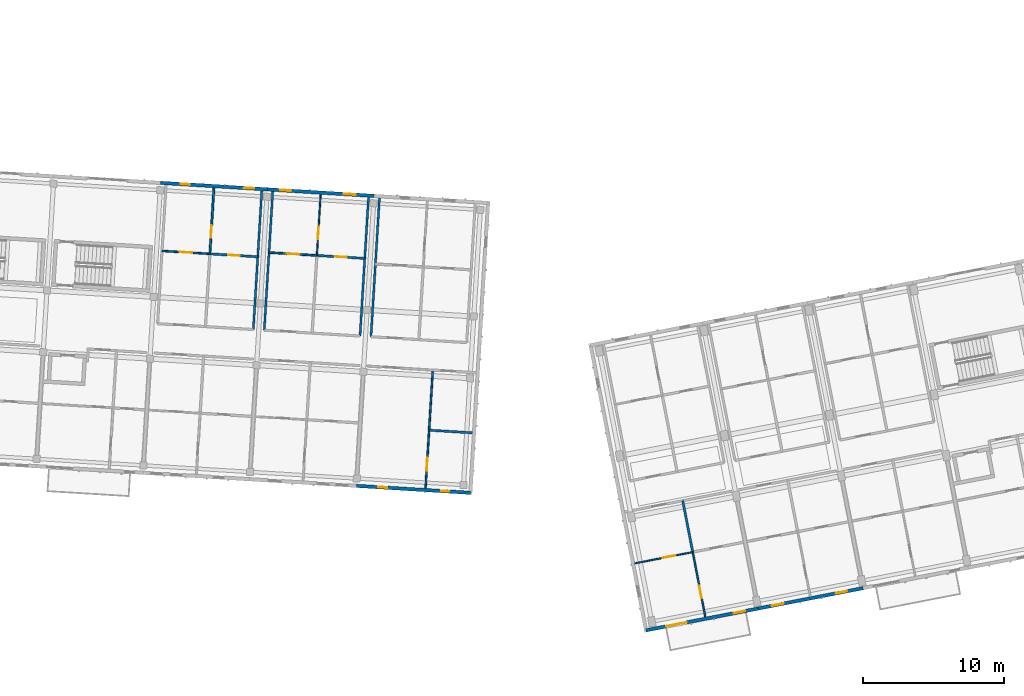
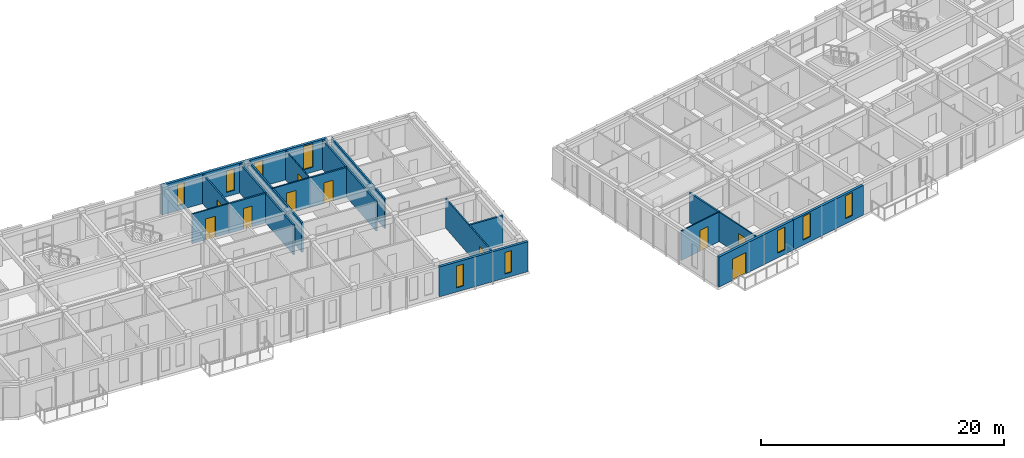
# One storey, part 27 of 66: 20 walls, 10 doors, 9 windows, 19 openings.
"""IFC4 building model written with IfcOpenShell, lengths in metres."""

from ifc_helpers import new_model, si_unit, direction, frame, frame_2d, origin, place, context, subcontext, project, spatial, rectangle, extrude, material, layer, layer_set, type_object, element, fill, save


model = new_model("IFC4")

# Units and contexts
model_context = context("Model", 3, precision=1e-05, world=origin(), true_north=direction((0.0, 1.0)))
body_context = subcontext(model_context, "Body", "Model", "MODEL_VIEW")
ifc_project = project(units=[si_unit("LENGTHUNIT", "METRE"), si_unit("AREAUNIT", "SQUARE_METRE"), si_unit("VOLUMEUNIT", "CUBIC_METRE"), si_unit("PLANEANGLEUNIT", "RADIAN"), si_unit("MASSUNIT", "GRAM", prefix="KILO")], contexts=[model_context])

# Site, building, storey
site_placement = place(None, origin())
site = spatial("IfcSite", under=ifc_project, at=site_placement, CompositionType="ELEMENT")
building_placement = place(site_placement, origin())
building = spatial("IfcBuilding", under=site, at=building_placement, Name="Kestramere Prow Commons", CompositionType="ELEMENT")
storey_placement = place(building_placement, frame((0.0, 0.0, 14.89990234375)))
storey = spatial("IfcBuildingStorey", under=building, at=storey_placement, Name="L04", CompositionType="ELEMENT", Elevation=14.89990234375)

# Wall, openings, windows
ifc_material_1 = material(Name="Fluoropolymer Standing-Seam Zinc-Aluminium Cladding", Category="aluminium")
ifc_layer_1 = layer(ifc_material_1, 0.239990234375)
ifc_layer_set_1 = layer_set([ifc_layer_1], Name="Fluoropolymer Standing-Seam Zinc-Aluminium Cladding")
wall_type_1 = type_object("IfcWallType", Name="EW-SEAM-240", PredefinedType="SOLIDWALL", material=ifc_layer_set_1)
wall_1_placement = place(storey_placement, frame((105.5068359375, 43.16015625, 0.0), z_axis=(0.0, 0.0, 1.0), x_axis=(-0.998134248939, 0.061057522844, 0.0)))
wall_1 = element("IfcWall", 1, at=wall_1_placement, inside=storey, type_object=wall_type_1, Name="Block C L04 South Standing-Seam Wall 6", PredefinedType="SOLIDWALL", context=body_context, shape_type="SweptSolid", body=[
    extrude(rectangle(XDim=8.125, YDim=0.239990234375, at=frame_2d((4.0625, 0.0))), origin(), (0.0, 0.0, 1.0), 3.0),
])
opening_1_placement = place(wall_1_placement, frame((1.50341796875, 0.0, 0.419921875)))
opening_1 = element("IfcOpeningElement", 2, at=opening_1_placement, cuts=wall_1, Name="Opening WN-01", PredefinedType="OPENING", context=body_context, shape_type="SweptSolid", body=[
    extrude(rectangle(XDim=0.580078125, YDim=2.159912109375, at=frame_2d((0.2900390625, 1.080078125))), frame((0.0, 0.135009765625, 0.0), z_axis=(0.0, -1.0, 0.0), x_axis=(1.0, 0.0, 0.0)), (0.0, 0.0, 1.0), 0.27001953125),
])
opening_2_placement = place(wall_1_placement, frame((5.923828125, 0.0, 0.419921875)))
opening_2 = element("IfcOpeningElement", 3, at=opening_2_placement, cuts=wall_1, Name="Opening WN-04", PredefinedType="OPENING", context=body_context, shape_type="SweptSolid", body=[
    extrude(rectangle(XDim=0.639892578125, YDim=2.179931640625, at=frame_2d((0.31982421875, 1.08984375))), frame((0.0, 0.135009765625, 0.0), z_axis=(0.0, -1.0, 0.0), x_axis=(1.0, 0.0, 0.0)), (0.0, 0.0, 1.0), 0.27001953125),
])
ifc_material_2 = material(Name="Low-E Laminated Double Glazing", Category="glass")
window_type_1 = type_object("IfcWindowType", Name="WN-NAR-580A", PartitioningType="SINGLE_PANEL", PredefinedType="WINDOW", material=ifc_material_2)
window_1_placement = place(opening_1_placement, origin())
window_1 = element("IfcWindow", 4, at=window_1_placement, inside=storey, type_object=window_type_1, Name="WN-C-L04-S-5-00", OverallHeight=2.159912109375, OverallWidth=0.580078125, PartitioningType="SINGLE_PANEL", PredefinedType="WINDOW", context=body_context, shape_type="SweptSolid", body=[
    extrude(rectangle(XDim=0.580078125, YDim=2.159912109375, at=frame_2d((0.2900390625, 1.080078125))), frame((0.0, 0.030029296875, 0.0), z_axis=(0.0, -1.0, 0.0), x_axis=(1.0, 0.0, 0.0)), (0.0, 0.0, 1.0), 0.06005859375),
])
fill(opening_1, window_1)
window_type_2 = type_object("IfcWindowType", Name="WN-NAR-640A", PartitioningType="SINGLE_PANEL", PredefinedType="WINDOW", material=ifc_material_2)
window_2_placement = place(opening_2_placement, origin())
window_2 = element("IfcWindow", 5, at=window_2_placement, inside=storey, type_object=window_type_2, Name="WN-C-L04-S-5-10", OverallHeight=2.179931640625, OverallWidth=0.639892578125, PartitioningType="SINGLE_PANEL", PredefinedType="WINDOW", context=body_context, shape_type="SweptSolid", body=[
    extrude(rectangle(XDim=0.639892578125, YDim=2.179931640625, at=frame_2d((0.31982421875, 1.08984375))), frame((0.0, 0.030029296875, 0.0), z_axis=(0.0, -1.0, 0.0), x_axis=(1.0, 0.0, 0.0)), (0.0, 0.0, 1.0), 0.06005859375),
])
fill(opening_2, window_2)

wall_2_placement = place(storey_placement, frame((83.486083984375, 65.195556640625, 0.0), z_axis=(0.0, 0.0, 1.0), x_axis=(0.998135669243, -0.061034300063, 0.0)))
wall_2 = element("IfcWall", 6, at=wall_2_placement, inside=storey, type_object=wall_type_1, Name="Block C L04 North Standing-Seam Wall 4", PredefinedType="SOLIDWALL", context=body_context, shape_type="SweptSolid", body=[
    extrude(rectangle(XDim=7.60009765625, YDim=0.239990234375, at=frame_2d((3.800048828125, 0.0))), origin(), (0.0, 0.0, 1.0), 3.0),
])
opening_3_placement = place(wall_2_placement, frame((1.424072265625, 0.0, 0.5)))
opening_3 = element("IfcOpeningElement", 7, at=opening_3_placement, cuts=wall_2, Name="Opening WN-04", PredefinedType="OPENING", context=body_context, shape_type="SweptSolid", body=[
    extrude(rectangle(XDim=0.639892578125, YDim=2.179931640625, at=frame_2d((0.31982421875, 1.08984375))), frame((0.0, 0.135009765625, 0.0), z_axis=(0.0, -1.0, 0.0), x_axis=(1.0, 0.0, 0.0)), (0.0, 0.0, 1.0), 0.27001953125),
])
opening_4_placement = place(wall_2_placement, frame((5.93505859375, 0.0, 0.43994140625)))
opening_4 = element("IfcOpeningElement", 8, at=opening_4_placement, cuts=wall_2, Name="Opening WN-08", PredefinedType="OPENING", context=body_context, shape_type="SweptSolid", body=[
    extrude(rectangle(XDim=0.719970703125, YDim=2.159912109375, at=frame_2d((0.35986328125, 1.080078125))), frame((0.0, 0.135009765625, 0.0), z_axis=(0.0, -1.0, 0.0), x_axis=(1.0, 0.0, 0.0)), (0.0, 0.0, 1.0), 0.27001953125),
])
window_3_placement = place(opening_3_placement, origin())
window_3 = element("IfcWindow", 9, at=window_3_placement, inside=storey, type_object=window_type_2, Name="WN-C-L04-N-3-0", OverallHeight=2.179931640625, OverallWidth=0.639892578125, PartitioningType="SINGLE_PANEL", PredefinedType="WINDOW", context=body_context, shape_type="SweptSolid", body=[
    extrude(rectangle(XDim=0.639892578125, YDim=2.179931640625, at=frame_2d((0.31982421875, 1.08984375))), frame((0.0, 0.030029296875, 0.0), z_axis=(0.0, -1.0, 0.0), x_axis=(1.0, 0.0, 0.0)), (0.0, 0.0, 1.0), 0.06005859375),
])
fill(opening_3, window_3)
window_type_3 = type_object("IfcWindowType", Name="WN-NAR-720A", PartitioningType="SINGLE_PANEL", PredefinedType="WINDOW", material=ifc_material_2)
window_4_placement = place(opening_4_placement, origin())
window_4 = element("IfcWindow", 10, at=window_4_placement, inside=storey, type_object=window_type_3, Name="WN-C-L04-N-3-1", OverallHeight=2.159912109375, OverallWidth=0.719970703125, PartitioningType="SINGLE_PANEL", PredefinedType="WINDOW", context=body_context, shape_type="SweptSolid", body=[
    extrude(rectangle(XDim=0.719970703125, YDim=2.159912109375, at=frame_2d((0.35986328125, 1.080078125))), frame((0.0, 0.030029296875, 0.0), z_axis=(0.0, -1.0, 0.0), x_axis=(1.0, 0.0, 0.0)), (0.0, 0.0, 1.0), 0.06005859375),
])
fill(opening_4, window_4)

wall_3_placement = place(storey_placement, frame((91.072021484375, 64.731689453125, 0.0), z_axis=(0.0, 0.0, 1.0), x_axis=(0.998133591969, -0.061068261669, 0.0)))
wall_3 = element("IfcWall", 11, at=wall_3_placement, inside=storey, type_object=wall_type_1, Name="Block C L04 North Standing-Seam Wall 5", PredefinedType="SOLIDWALL", context=body_context, shape_type="SweptSolid", body=[
    extrude(rectangle(XDim=7.599853515625, YDim=0.239990234375, at=frame_2d((3.7998046875, 0.0))), origin(), (0.0, 0.0, 1.0), 3.0),
])
opening_5_placement = place(wall_3_placement, frame((0.901611328125, 0.0, 0.43994140625)))
opening_5 = element("IfcOpeningElement", 12, at=opening_5_placement, cuts=wall_3, Name="Opening WN-11", PredefinedType="OPENING", context=body_context, shape_type="SweptSolid", body=[
    extrude(rectangle(XDim=0.780029296875, YDim=2.199951171875, at=frame_2d((0.39013671875, 1.10009765625))), frame((0.0, 0.135009765625, 0.0), z_axis=(0.0, -1.0, 0.0), x_axis=(1.0, 0.0, 0.0)), (0.0, 0.0, 1.0), 0.27001953125),
])
opening_6_placement = place(wall_3_placement, frame((5.426025390625, 0.0, 0.5)))
opening_6 = element("IfcOpeningElement", 13, at=opening_6_placement, cuts=wall_3, Name="Opening WN-15", PredefinedType="OPENING", context=body_context, shape_type="SweptSolid", body=[
    extrude(rectangle(XDim=0.860107421875, YDim=2.360107421875, at=frame_2d((0.43017578125, 1.18017578125))), frame((0.0, 0.135009765625, 0.0), z_axis=(0.0, -1.0, 0.0), x_axis=(1.0, 0.0, 0.0)), (0.0, 0.0, 1.0), 0.27001953125),
])
window_type_4 = type_object("IfcWindowType", Name="WN-NAR-780A", PartitioningType="SINGLE_PANEL", PredefinedType="WINDOW", material=ifc_material_2)
window_5_placement = place(opening_5_placement, origin())
window_5 = element("IfcWindow", 14, at=window_5_placement, inside=storey, type_object=window_type_4, Name="WN-C-L04-N-4-0", OverallHeight=2.199951171875, OverallWidth=0.780029296875, PartitioningType="SINGLE_PANEL", PredefinedType="WINDOW", context=body_context, shape_type="SweptSolid", body=[
    extrude(rectangle(XDim=0.780029296875, YDim=2.199951171875, at=frame_2d((0.39013671875, 1.10009765625))), frame((0.0, 0.030029296875, 0.0), z_axis=(0.0, -1.0, 0.0), x_axis=(1.0, 0.0, 0.0)), (0.0, 0.0, 1.0), 0.06005859375),
])
fill(opening_5, window_5)
window_type_5 = type_object("IfcWindowType", Name="WN-NAR-860A", PartitioningType="DOUBLE_PANEL_VERTICAL", PredefinedType="WINDOW", material=ifc_material_2)
window_6_placement = place(opening_6_placement, origin())
window_6 = element("IfcWindow", 15, at=window_6_placement, inside=storey, type_object=window_type_5, Name="WN-C-L04-N-4-1", OverallHeight=2.360107421875, OverallWidth=0.860107421875, PartitioningType="SINGLE_PANEL", PredefinedType="WINDOW", context=body_context, shape_type="SweptSolid", body=[
    extrude(rectangle(XDim=0.860107421875, YDim=2.360107421875, at=frame_2d((0.43017578125, 1.18017578125))), frame((0.0, 0.030029296875, 0.0), z_axis=(0.0, -1.0, 0.0), x_axis=(1.0, 0.0, 0.0)), (0.0, 0.0, 1.0), 0.06005859375),
])
fill(opening_6, window_6)

# Wall, openings, door, window
wall_4_placement = place(storey_placement, frame((125.96044921875, 34.934814453125, 0.0), z_axis=(0.0, 0.0, 1.0), x_axis=(-0.981627273155, -0.190808533872, 0.0)))
wall_4 = element("IfcWall", 16, at=wall_4_placement, inside=storey, type_object=wall_type_1, Name="Block D L04 South Standing-Seam Wall 1", PredefinedType="SOLIDWALL", context=body_context, shape_type="SweptSolid", body=[
    extrude(rectangle(XDim=8.124755859375, YDim=0.239990234375, at=frame_2d((4.0625, 0.0))), origin(), (0.0, 0.0, 1.0), 3.0),
])
opening_7_placement = place(wall_4_placement, frame((5.1689453125, 0.0, 0.0)))
opening_7 = element("IfcOpeningElement", 17, at=opening_7_placement, cuts=wall_4, Name="Opening GD-BAL-01", PredefinedType="OPENING", context=body_context, shape_type="SweptSolid", body=[
    extrude(rectangle(XDim=1.5, YDim=2.1201171875, at=frame_2d((0.75, 1.06005859375))), frame((0.0, 0.135009765625, 0.0), z_axis=(0.0, -1.0, 0.0), x_axis=(1.0, 0.0, 0.0)), (0.0, 0.0, 1.0), 0.27001953125),
])
opening_8_placement = place(wall_4_placement, frame((0.929931640625, 0.0, 0.4599609375)))
opening_8 = element("IfcOpeningElement", 18, at=opening_8_placement, cuts=wall_4, Name="Opening WN-14", PredefinedType="OPENING", context=body_context, shape_type="SweptSolid", body=[
    extrude(rectangle(XDim=0.840087890625, YDim=2.280029296875, at=frame_2d((0.419921875, 1.14013671875))), frame((0.0, 0.135009765625, 0.0), z_axis=(0.0, -1.0, 0.0), x_axis=(1.0, 0.0, 0.0)), (0.0, 0.0, 1.0), 0.27001953125),
])
ifc_material_3 = material(Name="Thermally-Broken Anodised Aluminium Glazed", Category="aluminium")
door_type_1 = type_object("IfcDoorType", Name="GD-BAL-1500", OperationType="SLIDING_TO_RIGHT", PredefinedType="DOOR", material=ifc_material_3)
door_1_placement = place(opening_7_placement, origin())
door_1 = element("IfcDoor", 19, at=door_1_placement, inside=storey, type_object=door_type_1, Name="Block D L04 Balcony Door 1", OperationType="SLIDING_TO_RIGHT", OverallHeight=2.1201171875, OverallWidth=1.5, PredefinedType="DOOR", context=body_context, shape_type="SweptSolid", body=[
    extrude(rectangle(XDim=1.5, YDim=2.1201171875, at=frame_2d((0.75, 1.06005859375))), frame((0.0, 0.02490234375, 0.0), z_axis=(0.0, -1.0, 0.0), x_axis=(1.0, 0.0, 0.0)), (0.0, 0.0, 1.0), 0.050048828125),
])
fill(opening_7, door_1)
window_type_6 = type_object("IfcWindowType", Name="WN-NAR-840A", PartitioningType="DOUBLE_PANEL_VERTICAL", PredefinedType="WINDOW", material=ifc_material_2)
window_7_placement = place(opening_8_placement, origin())
window_7 = element("IfcWindow", 20, at=window_7_placement, inside=storey, type_object=window_type_6, Name="WN-D-L04-SR-0", OverallHeight=2.280029296875, OverallWidth=0.840087890625, PartitioningType="SINGLE_PANEL", PredefinedType="WINDOW", context=body_context, shape_type="SweptSolid", body=[
    extrude(rectangle(XDim=0.840087890625, YDim=2.280029296875, at=frame_2d((0.419921875, 1.14013671875))), frame((0.0, 0.030029296875, 0.0), z_axis=(0.0, -1.0, 0.0), x_axis=(1.0, 0.0, 0.0)), (0.0, 0.0, 1.0), 0.06005859375),
])
fill(opening_8, window_7)

# Wall, openings, windows
wall_5_placement = place(storey_placement, frame((133.4208984375, 36.385009765625, 0.0), z_axis=(0.0, 0.0, 1.0), x_axis=(-0.981626422232, -0.190812911449, 0.0)))
wall_5 = element("IfcWall", 21, at=wall_5_placement, inside=storey, type_object=wall_type_1, Name="Block D L04 South Standing-Seam Wall 2", PredefinedType="SOLIDWALL", context=body_context, shape_type="SweptSolid", body=[
    extrude(rectangle(XDim=7.60009765625, YDim=0.239990234375, at=frame_2d((3.800048828125, 0.0))), origin(), (0.0, 0.0, 1.0), 3.0),
])
opening_9_placement = place(wall_5_placement, frame((1.1640625, 0.0, 0.52001953125)))
opening_9 = element("IfcOpeningElement", 22, at=opening_9_placement, cuts=wall_5, Name="Opening WN-12", PredefinedType="OPENING", context=body_context, shape_type="SweptSolid", body=[
    extrude(rectangle(XDim=0.800048828125, YDim=2.300048828125, at=frame_2d((0.39990234375, 1.14990234375))), frame((0.0, 0.135009765625, 0.0), z_axis=(0.0, -1.0, 0.0), x_axis=(1.0, 0.0, 0.0)), (0.0, 0.0, 1.0), 0.27001953125),
])
opening_10_placement = place(wall_5_placement, frame((5.741455078125, 0.0, 0.5)))
opening_10 = element("IfcOpeningElement", 23, at=opening_10_placement, cuts=wall_5, Name="Opening WN-15", PredefinedType="OPENING", context=body_context, shape_type="SweptSolid", body=[
    extrude(rectangle(XDim=0.860107421875, YDim=2.360107421875, at=frame_2d((0.43017578125, 1.18017578125))), frame((0.0, 0.135009765625, 0.0), z_axis=(0.0, -1.0, 0.0), x_axis=(1.0, 0.0, 0.0)), (0.0, 0.0, 1.0), 0.27001953125),
])
window_type_7 = type_object("IfcWindowType", Name="WN-NAR-800A", PartitioningType="SINGLE_PANEL", PredefinedType="WINDOW", material=ifc_material_2)
window_8_placement = place(opening_9_placement, origin())
window_8 = element("IfcWindow", 24, at=window_8_placement, inside=storey, type_object=window_type_7, Name="WN-D-L04-S-1-00", OverallHeight=2.300048828125, OverallWidth=0.800048828125, PartitioningType="SINGLE_PANEL", PredefinedType="WINDOW", context=body_context, shape_type="SweptSolid", body=[
    extrude(rectangle(XDim=0.800048828125, YDim=2.300048828125, at=frame_2d((0.39990234375, 1.14990234375))), frame((0.0, 0.030029296875, 0.0), z_axis=(0.0, -1.0, 0.0), x_axis=(1.0, 0.0, 0.0)), (0.0, 0.0, 1.0), 0.06005859375),
])
fill(opening_9, window_8)
window_9_placement = place(opening_10_placement, origin())
window_9 = element("IfcWindow", 25, at=window_9_placement, inside=storey, type_object=window_type_5, Name="WN-D-L04-S-1-10", OverallHeight=2.360107421875, OverallWidth=0.860107421875, PartitioningType="SINGLE_PANEL", PredefinedType="WINDOW", context=body_context, shape_type="SweptSolid", body=[
    extrude(rectangle(XDim=0.860107421875, YDim=2.360107421875, at=frame_2d((0.43017578125, 1.18017578125))), frame((0.0, 0.030029296875, 0.0), z_axis=(0.0, -1.0, 0.0), x_axis=(1.0, 0.0, 0.0)), (0.0, 0.0, 1.0), 0.06005859375),
])
fill(opening_10, window_9)

# Wall, opening, door
ifc_material_4 = material(Name="Gypsum Acoustic Drywall")
ifc_layer_2 = layer(ifc_material_4, 0.110107421875)
ifc_layer_set_2 = layer_set([ifc_layer_2], Name="Gypsum Acoustic Drywall")
wall_type_2 = type_object("IfcWallType", Name="W-PART-110", PredefinedType="PARTITIONING", material=ifc_layer_set_2)
wall_6_placement = place(storey_placement, frame((122.20458984375, 34.34228515625, 0.0), z_axis=(0.0, 0.0, 1.0), x_axis=(-0.190787451574, 0.981631370893, 0.0)))
wall_6 = element("IfcWall", 26, at=wall_6_placement, inside=storey, type_object=wall_type_2, Name="Interior Partition PW-D-L04-LB-S0", PredefinedType="PARTITIONING", context=body_context, shape_type="SweptSolid", body=[
    extrude(rectangle(XDim=4.68994140625, YDim=0.110107421875, at=frame_2d((2.344970703125, 0.0))), origin(), (0.0, 0.0, 1.0), 2.97021484375),
])
opening_11_placement = place(wall_6_placement, frame((1.35009765625, 0.0, 0.0)))
opening_11 = element("IfcOpeningElement", 27, at=opening_11_placement, cuts=wall_6, Name="Opening ID-08", PredefinedType="OPENING", context=body_context, shape_type="SweptSolid", body=[
    extrude(rectangle(XDim=0.89990234375, YDim=2.10009765625, at=frame_2d((0.449951171875, 1.050048828125))), frame((0.0, 0.070068359375, 0.0), z_axis=(0.0, -1.0, 0.0), x_axis=(1.0, 0.0, 0.0)), (0.0, 0.0, 1.0), 0.14013671875),
])
ifc_material_5 = material(Name="Engineered Timber Flush Door", Category="wood")
door_type_2 = type_object("IfcDoorType", Name="D-RM-01", OperationType="NOTDEFINED", PredefinedType="DOOR", material=ifc_material_5)
door_2_placement = place(opening_11_placement, origin())
door_2 = element("IfcDoor", 28, at=door_2_placement, inside=storey, type_object=door_type_2, Name="Interior Door DR-D-L04-BED-S0", OperationType="SINGLE_SWING_LEFT", OverallHeight=2.10009765625, OverallWidth=0.89990234375, PredefinedType="DOOR", context=body_context, shape_type="SweptSolid", body=[
    extrude(rectangle(XDim=0.89990234375, YDim=2.10009765625, at=frame_2d((0.449951171875, 1.050048828125))), frame((0.0, 0.02490234375, 0.0), z_axis=(0.0, -1.0, 0.0), x_axis=(1.0, 0.0, 0.0)), (0.0, 0.0, 1.0), 0.050048828125),
])
fill(opening_11, door_2)

ifc_material_6 = material(Name="Lightweight Blockwork and Plaster", Category="masonry")
ifc_layer_3 = layer(ifc_material_6, 0.1201171875)
ifc_layer_set_3 = layer_set([ifc_layer_3], Name="Lightweight Blockwork and Plaster")
wall_type_3 = type_object("IfcWallType", Name="W-PART-120", PredefinedType="PARTITIONING", material=ifc_layer_set_3)
wall_7_placement = place(storey_placement, frame((102.316162109375, 43.490478515625, 0.0), z_axis=(0.0, 0.0, 1.0), x_axis=(0.061049859271, 0.998134717702, 0.0)))
wall_7 = element("IfcWall", 29, at=wall_7_placement, inside=storey, type_object=wall_type_3, Name="Interior Partition PW-C-L04-SKDV-5", PredefinedType="PARTITIONING", context=body_context, shape_type="SweptSolid", body=[
    extrude(rectangle(XDim=8.409912109375, YDim=0.1201171875, at=frame_2d((4.205078125, 0.0))), origin(), (0.0, 0.0, 1.0), 2.97021484375),
])
opening_12_placement = place(wall_7_placement, frame((1.25, 0.0, 0.0)))
opening_12 = element("IfcOpeningElement", 30, at=opening_12_placement, cuts=wall_7, Name="Opening ID-08", PredefinedType="OPENING", context=body_context, shape_type="SweptSolid", body=[
    extrude(rectangle(XDim=0.89990234375, YDim=2.10009765625, at=frame_2d((0.449951171875, 1.050048828125))), frame((0.0, 0.074951171875, 0.0), z_axis=(0.0, -1.0, 0.0), x_axis=(1.0, 0.0, 0.0)), (0.0, 0.0, 1.0), 0.150146484375),
])
door_3_placement = place(opening_12_placement, origin())
door_3 = element("IfcDoor", 31, at=door_3_placement, inside=storey, type_object=door_type_2, Name="Interior Door DR-C-L04-SKAL-5", OperationType="SINGLE_SWING_LEFT", OverallHeight=2.10009765625, OverallWidth=0.89990234375, PredefinedType="DOOR", context=body_context, shape_type="SweptSolid", body=[
    extrude(rectangle(XDim=0.89990234375, YDim=2.10009765625, at=frame_2d((0.449951171875, 1.050048828125))), frame((0.0, 0.02490234375, 0.0), z_axis=(0.0, -1.0, 0.0), x_axis=(1.0, 0.0, 0.0)), (0.0, 0.0, 1.0), 0.050048828125),
])
fill(opening_12, door_3)

wall_8_placement = place(storey_placement, frame((83.580810546875, 60.355712890625, 0.0), z_axis=(0.0, 0.0, 1.0), x_axis=(0.998133350094, -0.061072214879, 0.0)))
wall_8 = element("IfcWall", 32, at=wall_8_placement, inside=storey, type_object=wall_type_3, Name="Interior Partition PW-C-L04-MIDN1-3", PredefinedType="PARTITIONING", context=body_context, shape_type="SweptSolid", body=[
    extrude(rectangle(XDim=3.409912109375, YDim=0.1201171875, at=frame_2d((1.705078125, 0.0))), origin(), (0.0, 0.0, 1.0), 2.97021484375),
])
opening_13_placement = place(wall_8_placement, frame((1.2548828125, 0.0, 0.0)))
opening_13 = element("IfcOpeningElement", 33, at=opening_13_placement, cuts=wall_8, Name="Opening ID-08", PredefinedType="OPENING", context=body_context, shape_type="SweptSolid", body=[
    extrude(rectangle(XDim=0.89990234375, YDim=2.10009765625, at=frame_2d((0.449951171875, 1.050048828125))), frame((0.0, 0.074951171875, 0.0), z_axis=(0.0, -1.0, 0.0), x_axis=(1.0, 0.0, 0.0)), (0.0, 0.0, 1.0), 0.150146484375),
])
door_4_placement = place(opening_13_placement, origin())
door_4 = element("IfcDoor", 34, at=door_4_placement, inside=storey, type_object=door_type_2, Name="Interior Door DR-C-L04-KL-N3", OperationType="SINGLE_SWING_LEFT", OverallHeight=2.10009765625, OverallWidth=0.89990234375, PredefinedType="DOOR", context=body_context, shape_type="SweptSolid", body=[
    extrude(rectangle(XDim=0.89990234375, YDim=2.10009765625, at=frame_2d((0.449951171875, 1.050048828125))), frame((0.0, 0.02490234375, 0.0), z_axis=(0.0, -1.0, 0.0), x_axis=(1.0, 0.0, 0.0)), (0.0, 0.0, 1.0), 0.050048828125),
])
fill(opening_13, door_4)

ifc_layer_4 = layer(ifc_material_6, 0.1298828125)
ifc_layer_set_4 = layer_set([ifc_layer_4], Name="Lightweight Blockwork and Plaster")
wall_type_4 = type_object("IfcWallType", Name="W-PART-130", PredefinedType="PARTITIONING", material=ifc_layer_set_4)
wall_9_placement = place(storey_placement, frame((91.18798828125, 60.2412109375, 0.0), z_axis=(0.0, 0.0, 1.0), x_axis=(0.998133350094, -0.061072214879, 0.0)))
wall_9 = element("IfcWall", 35, at=wall_9_placement, inside=storey, type_object=wall_type_4, Name="Interior Partition PW-C-L04-MIDN1-4", PredefinedType="PARTITIONING", context=body_context, shape_type="SweptSolid", body=[
    extrude(rectangle(XDim=3.409912109375, YDim=0.1298828125, at=frame_2d((1.705078125, 0.0))), origin(), (0.0, 0.0, 1.0), 2.97021484375),
])
opening_14_placement = place(wall_9_placement, frame((1.2548828125, 0.0, 0.0)))
opening_14 = element("IfcOpeningElement", 36, at=opening_14_placement, cuts=wall_9, Name="Opening ID-10", PredefinedType="OPENING", context=body_context, shape_type="SweptSolid", body=[
    extrude(rectangle(XDim=0.8798828125, YDim=2.10009765625, at=frame_2d((0.43994140625, 1.050048828125))), frame((0.0, 0.079833984375, 0.0), z_axis=(0.0, -1.0, 0.0), x_axis=(1.0, 0.0, 0.0)), (0.0, 0.0, 1.0), 0.159912109375),
])
ifc_material_7 = material(Name="Engineered Timber Bedroom Door", Category="wood")
door_type_3 = type_object("IfcDoorType", Name="D-RM-03", OperationType="NOTDEFINED", PredefinedType="DOOR", material=ifc_material_7)
door_5_placement = place(opening_14_placement, origin())
door_5 = element("IfcDoor", 37, at=door_5_placement, inside=storey, type_object=door_type_3, Name="Interior Door DR-C-L04-KL-N4", OperationType="SINGLE_SWING_LEFT", OverallHeight=2.10009765625, OverallWidth=0.8798828125, PredefinedType="DOOR", context=body_context, shape_type="SweptSolid", body=[
    extrude(rectangle(XDim=0.8798828125, YDim=2.10009765625, at=frame_2d((0.43994140625, 1.050048828125))), frame((0.0, 0.02490234375, 0.0), z_axis=(0.0, -1.0, 0.0), x_axis=(1.0, 0.0, 0.0)), (0.0, 0.0, 1.0), 0.050048828125),
])
fill(opening_14, door_5)

ifc_material_8 = material(Name="Masonry Compartment Wall", Category="masonry")
ifc_layer_5 = layer(ifc_material_8, 0.139892578125)
ifc_layer_set_5 = layer_set([ifc_layer_5], Name="Masonry Compartment Wall")
wall_type_5 = type_object("IfcWallType", Name="W-PART-140", PredefinedType="PARTITIONING", material=ifc_layer_set_5)
wall_10_placement = place(storey_placement, frame((86.984375, 60.1474609375, 0.0), z_axis=(0.0, 0.0, 1.0), x_axis=(0.061059262019, 0.998134142549, 0.0)))
wall_10 = element("IfcWall", 38, at=wall_10_placement, inside=storey, type_object=wall_type_5, Name="Interior Partition PW-C-L04-LB-N3", PredefinedType="PARTITIONING", context=body_context, shape_type="SweptSolid", body=[
    extrude(rectangle(XDim=4.690185546875, YDim=0.139892578125, at=frame_2d((2.34521484375, 0.0))), origin(), (0.0, 0.0, 1.0), 2.97021484375),
])
opening_15_placement = place(wall_10_placement, frame((1.14990234375, 0.0, 0.0)))
opening_15 = element("IfcOpeningElement", 39, at=opening_15_placement, cuts=wall_10, Name="Opening ID-08", PredefinedType="OPENING", context=body_context, shape_type="SweptSolid", body=[
    extrude(rectangle(XDim=0.89990234375, YDim=2.10009765625, at=frame_2d((0.449951171875, 1.050048828125))), frame((0.0, 0.0849609375, 0.0), z_axis=(0.0, -1.0, 0.0), x_axis=(1.0, 0.0, 0.0)), (0.0, 0.0, 1.0), 0.169921875),
])
door_6_placement = place(opening_15_placement, origin())
door_6 = element("IfcDoor", 40, at=door_6_placement, inside=storey, type_object=door_type_2, Name="Interior Door DR-C-L04-BED-N3", OperationType="SINGLE_SWING_LEFT", OverallHeight=2.10009765625, OverallWidth=0.89990234375, PredefinedType="DOOR", context=body_context, shape_type="SweptSolid", body=[
    extrude(rectangle(XDim=0.89990234375, YDim=2.10009765625, at=frame_2d((0.449951171875, 1.050048828125))), frame((0.0, 0.02490234375, 0.0), z_axis=(0.0, -1.0, 0.0), x_axis=(1.0, 0.0, 0.0)), (0.0, 0.0, 1.0), 0.050048828125),
])
fill(opening_15, door_6)

# Walls
ifc_layer_6 = layer(ifc_material_8, 0.14990234375)
ifc_layer_set_6 = layer_set([ifc_layer_6], Name="Masonry Compartment Wall")
wall_type_6 = type_object("IfcWallType", Name="W-PART-150", PredefinedType="PARTITIONING", material=ifc_layer_set_6)
for number, where, z_axis, x_axis, name in (
    (41, (90.07177734375, 54.76904296875, 0.0), (0.0, 0.0, 1.0), (0.061047700465, 0.998134849741, 0.0), "Interior Partition PW-C-L04-NWR-3"),
    (42, (90.850341796875, 54.721435546875, 0.0), (0.0, 0.0, 1.0), (0.061047700465, 0.998134849741, 0.0), "Interior Partition PW-C-L04-NWL-4"),
    (43, (97.65771484375, 54.30517578125, 0.0), (0.0, 0.0, 1.0), (0.061047700465, 0.998134849741, 0.0), "Interior Partition PW-C-L04-NWR-4"),
    (44, (98.436279296875, 54.257568359375, 0.0), (0.0, 0.0, 1.0), (0.061047700465, 0.998134849741, 0.0), "Interior Partition PW-C-L04-NWL-5"),
):
    element("IfcWall", number, at=place(storey_placement, frame(where, z_axis=z_axis, x_axis=x_axis)), inside=storey, type_object=wall_type_6, Name=name, PredefinedType="PARTITIONING", context=body_context, shape_type="SweptSolid", body=[
        extrude(rectangle(XDim=9.869873046875, YDim=0.14990234375, at=frame_2d((4.93505859375, 0.0))), origin(), (0.0, 0.0, 1.0), 2.97021484375),
    ])

# Wall, opening, door
ifc_layer_7 = layer(ifc_material_4, 0.094970703125)
ifc_layer_set_7 = layer_set([ifc_layer_7], Name="Gypsum Acoustic Drywall")
wall_type_7 = type_object("IfcWallType", Name="W-PART-95", PredefinedType="PARTITIONING", material=ifc_layer_set_7)
wall_11_placement = place(storey_placement, frame((94.591552734375, 60.032958984375, 0.0), z_axis=(0.0, 0.0, 1.0), x_axis=(0.061092906669, 0.998132083822, 0.0)))
wall_11 = element("IfcWall", 45, at=wall_11_placement, inside=storey, type_object=wall_type_7, Name="Interior Partition PW-C-L04-LB-N4", PredefinedType="PARTITIONING", context=body_context, shape_type="SweptSolid", body=[
    extrude(rectangle(XDim=4.33984375, YDim=0.094970703125, at=frame_2d((2.169921875, 0.0))), origin(), (0.0, 0.0, 1.0), 2.97021484375),
])
opening_16_placement = place(wall_11_placement, frame((1.14990234375, 0.0, 0.0)))
opening_16 = element("IfcOpeningElement", 46, at=opening_16_placement, cuts=wall_11, Name="Opening ID-08", PredefinedType="OPENING", context=body_context, shape_type="SweptSolid", body=[
    extrude(rectangle(XDim=0.89990234375, YDim=2.10009765625, at=frame_2d((0.449951171875, 1.050048828125))), frame((0.0, 0.0625, 0.0), z_axis=(0.0, -1.0, 0.0), x_axis=(1.0, 0.0, 0.0)), (0.0, 0.0, 1.0), 0.125),
])
door_7_placement = place(opening_16_placement, origin())
door_7 = element("IfcDoor", 47, at=door_7_placement, inside=storey, type_object=door_type_2, Name="Interior Door DR-C-L04-BED-N4", OperationType="SINGLE_SWING_LEFT", OverallHeight=2.10009765625, OverallWidth=0.89990234375, PredefinedType="DOOR", context=body_context, shape_type="SweptSolid", body=[
    extrude(rectangle(XDim=0.89990234375, YDim=2.10009765625, at=frame_2d((0.449951171875, 1.050048828125))), frame((0.0, 0.02490234375, 0.0), z_axis=(0.0, -1.0, 0.0), x_axis=(1.0, 0.0, 0.0)), (0.0, 0.0, 1.0), 0.050048828125),
])
fill(opening_16, door_7)

wall_12_placement = place(storey_placement, frame((117.19189453125, 38.1455078125, 0.0), z_axis=(0.0, 0.0, 1.0), x_axis=(0.981622961106, 0.19083071616, 0.0)))
wall_12 = element("IfcWall", 48, at=wall_12_placement, inside=storey, type_object=wall_type_7, Name="Interior Partition PW-D-L04-MIDS1-0", PredefinedType="PARTITIONING", context=body_context, shape_type="SweptSolid", body=[
    extrude(rectangle(XDim=4.195068359375, YDim=0.094970703125, at=frame_2d((2.09765625, 0.0))), origin(), (0.0, 0.0, 1.0), 2.97021484375),
])
opening_17_placement = place(wall_12_placement, frame((2.034912109375, 0.0, 0.0)))
opening_17 = element("IfcOpeningElement", 49, at=opening_17_placement, cuts=wall_12, Name="Opening ID-08", PredefinedType="OPENING", context=body_context, shape_type="SweptSolid", body=[
    extrude(rectangle(XDim=0.89990234375, YDim=2.10009765625, at=frame_2d((0.449951171875, 1.050048828125))), frame((0.0, 0.0625, 0.0), z_axis=(0.0, -1.0, 0.0), x_axis=(1.0, 0.0, 0.0)), (0.0, 0.0, 1.0), 0.125),
])
door_8_placement = place(opening_17_placement, origin())
door_8 = element("IfcDoor", 50, at=door_8_placement, inside=storey, type_object=door_type_2, Name="Interior Door DR-D-L04-KL-S0", OperationType="SINGLE_SWING_RIGHT", OverallHeight=2.10009765625, OverallWidth=0.89990234375, PredefinedType="DOOR", context=body_context, shape_type="SweptSolid", body=[
    extrude(rectangle(XDim=0.89990234375, YDim=2.10009765625, at=frame_2d((0.449951171875, 1.050048828125))), frame((0.0, 0.02490234375, 0.0), z_axis=(0.0, -1.0, 0.0), x_axis=(1.0, 0.0, 0.0)), (0.0, 0.0, 1.0), 0.050048828125),
])
fill(opening_17, door_8)

# Wall
ifc_material_9 = material(Name="Waterproof Sanitary Masonry Wall", Category="masonry")
ifc_layer_8 = layer(ifc_material_9, 0.1650390625)
ifc_layer_set_8 = layer_set([ifc_layer_8], Name="Waterproof Sanitary Masonry Wall")
wall_type_8 = type_object("IfcWallType", Name="W-PLUMB-150", PredefinedType="PLUMBINGWALL", material=ifc_layer_set_8)
wall_13_placement = place(storey_placement, frame((102.568359375, 47.61279296875, 0.0), z_axis=(0.0, 0.0, 1.0), x_axis=(0.99813419504, -0.061058403944, 0.0)))
element("IfcWall", 51, at=wall_13_placement, inside=storey, type_object=wall_type_8, Name="Interior Partition PW-C-L04-SKHZ-5", PredefinedType="PLUMBINGWALL", context=body_context, shape_type="SweptSolid", body=[
    extrude(rectangle(XDim=3.07470703125, YDim=0.1650390625, at=frame_2d((1.537353515625, 0.0))), origin(), (0.0, 0.0, 1.0), 2.97021484375),
])

# Wall, opening, door
wall_14_placement = place(storey_placement, frame((86.984375, 60.1474609375, 0.0), z_axis=(0.0, 0.0, 1.0), x_axis=(0.99813797838, -0.060996525433, 0.0)))
wall_14 = element("IfcWall", 52, at=wall_14_placement, inside=storey, type_object=wall_type_8, Name="Interior Partition PW-C-L04-MIDN2-3", PredefinedType="PLUMBINGWALL", context=body_context, shape_type="SweptSolid", body=[
    extrude(rectangle(XDim=3.41015625, YDim=0.1650390625, at=frame_2d((1.705078125, 0.0))), origin(), (0.0, 0.0, 1.0), 2.97021484375),
])
opening_18_placement = place(wall_14_placement, frame((1.294921875, 0.0, 0.0)))
opening_18 = element("IfcOpeningElement", 53, at=opening_18_placement, cuts=wall_14, Name="Opening ID-11", PredefinedType="OPENING", context=body_context, shape_type="SweptSolid", body=[
    extrude(rectangle(XDim=0.820068359375, YDim=2.080078125, at=frame_2d((0.41015625, 1.0400390625))), frame((0.0, 0.097412109375, 0.0), z_axis=(0.0, -1.0, 0.0), x_axis=(1.0, 0.0, 0.0)), (0.0, 0.0, 1.0), 0.195068359375),
])
ifc_material_10 = material(Name="Moisture-Resistant Timber Bathroom Door", Category="wood")
door_type_4 = type_object("IfcDoorType", Name="D-BT-01", OperationType="NOTDEFINED", PredefinedType="DOOR", material=ifc_material_10)
door_9_placement = place(opening_18_placement, origin())
door_9 = element("IfcDoor", 54, at=door_9_placement, inside=storey, type_object=door_type_4, Name="Interior Door DR-C-L04-BTH-N3", OperationType="SINGLE_SWING_RIGHT", OverallHeight=2.080078125, OverallWidth=0.820068359375, PredefinedType="DOOR", context=body_context, shape_type="SweptSolid", body=[
    extrude(rectangle(XDim=0.820068359375, YDim=2.080078125, at=frame_2d((0.41015625, 1.0400390625))), frame((0.0, 0.02490234375, 0.0), z_axis=(0.0, -1.0, 0.0), x_axis=(1.0, 0.0, 0.0)), (0.0, 0.0, 1.0), 0.050048828125),
])
fill(opening_18, door_9)

wall_15_placement = place(storey_placement, frame((94.591552734375, 60.032958984375, 0.0), z_axis=(0.0, 0.0, 1.0), x_axis=(0.998133617109, -0.061067850767, 0.0)))
wall_15 = element("IfcWall", 55, at=wall_15_placement, inside=storey, type_object=wall_type_8, Name="Interior Partition PW-C-L04-MIDN2-4", PredefinedType="PLUMBINGWALL", context=body_context, shape_type="SweptSolid", body=[
    extrude(rectangle(XDim=3.41015625, YDim=0.1650390625, at=frame_2d((1.705078125, 0.0))), origin(), (0.0, 0.0, 1.0), 2.97021484375),
])
opening_19_placement = place(wall_15_placement, frame((1.294921875, 0.0, 0.0)))
opening_19 = element("IfcOpeningElement", 56, at=opening_19_placement, cuts=wall_15, Name="Opening ID-11", PredefinedType="OPENING", context=body_context, shape_type="SweptSolid", body=[
    extrude(rectangle(XDim=0.820068359375, YDim=2.080078125, at=frame_2d((0.41015625, 1.0400390625))), frame((0.0, 0.097412109375, 0.0), z_axis=(0.0, -1.0, 0.0), x_axis=(1.0, 0.0, 0.0)), (0.0, 0.0, 1.0), 0.195068359375),
])
door_10_placement = place(opening_19_placement, origin())
door_10 = element("IfcDoor", 57, at=door_10_placement, inside=storey, type_object=door_type_4, Name="Interior Door DR-C-L04-BTH-N4", OperationType="SINGLE_SWING_RIGHT", OverallHeight=2.080078125, OverallWidth=0.820068359375, PredefinedType="DOOR", context=body_context, shape_type="SweptSolid", body=[
    extrude(rectangle(XDim=0.820068359375, YDim=2.080078125, at=frame_2d((0.41015625, 1.0400390625))), frame((0.0, 0.02490234375, 0.0), z_axis=(0.0, -1.0, 0.0), x_axis=(1.0, 0.0, 0.0)), (0.0, 0.0, 1.0), 0.050048828125),
])
fill(opening_19, door_10)

# Wall
wall_16_placement = place(storey_placement, frame((121.309814453125, 38.946044921875, 0.0), z_axis=(0.0, 0.0, 1.0), x_axis=(-0.190850336204, 0.981619146701, 0.0)))
element("IfcWall", 58, at=wall_16_placement, inside=storey, type_object=wall_type_8, Name="Interior Partition PW-D-L04-KB-S0", PredefinedType="PLUMBINGWALL", context=body_context, shape_type="SweptSolid", body=[
    extrude(rectangle(XDim=3.719970703125, YDim=0.1650390625, at=frame_2d((1.85986328125, 0.0))), origin(), (0.0, 0.0, 1.0), 2.97021484375),
])

save(model, "model.ifc")
